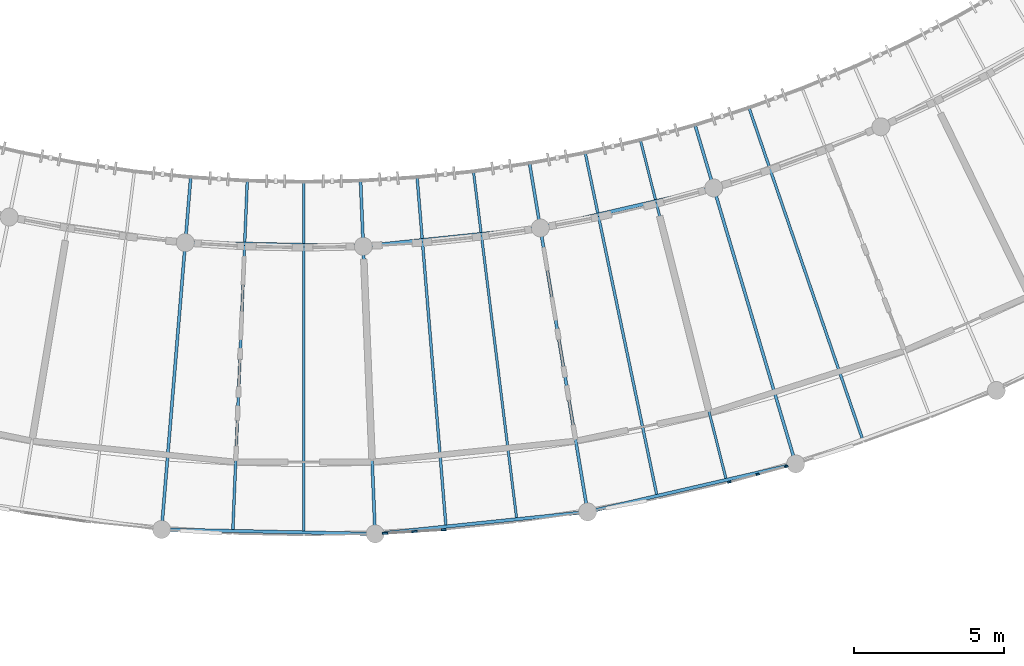
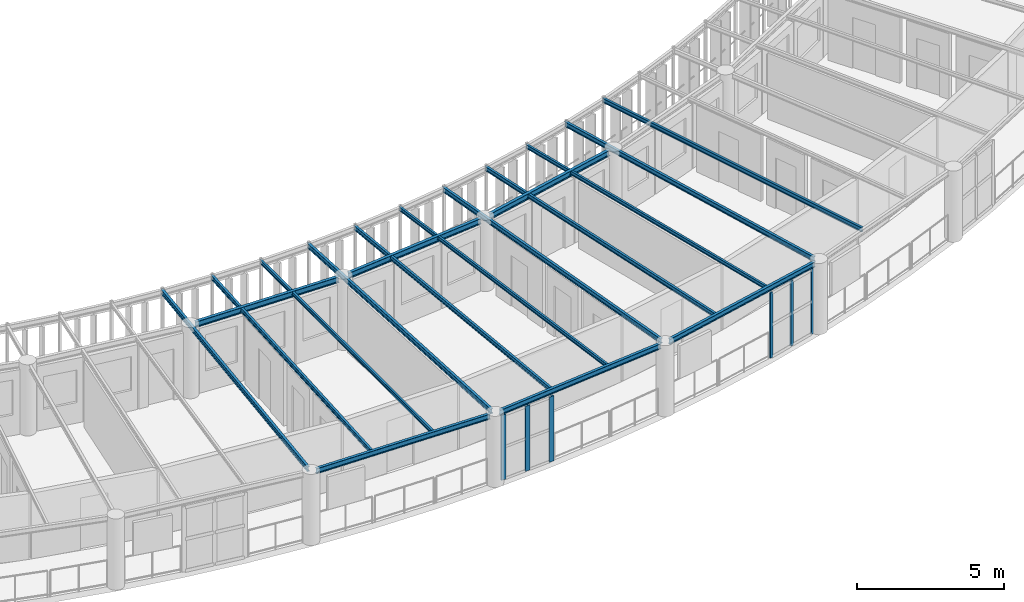
# One storey, part 17 of 100: 17 beams, 6 members, 2 elements without a shape of their own.
"""IFC4 building model written with IfcOpenShell, lengths in metres."""

from ifc_helpers import new_model, si_unit, direction, frame, origin, origin_2d, place, context, subcontext, project, spatial, rectangle, i_section, extrude, material, layer, layer_set, material_profile, profile_set, type_object, element, aggregate, save


model = new_model("IFC4")

# Units and contexts
model_context = context("Model", 3, precision=1e-05, world=origin(), true_north=direction((0.0, 1.0)))
body_context = subcontext(model_context, "Body", "Model", "MODEL_VIEW")
ifc_project = project(units=[si_unit("LENGTHUNIT", "METRE"), si_unit("AREAUNIT", "SQUARE_METRE"), si_unit("VOLUMEUNIT", "CUBIC_METRE"), si_unit("PLANEANGLEUNIT", "RADIAN"), si_unit("MASSUNIT", "GRAM", prefix="KILO"), si_unit("POWERUNIT", "WATT"), si_unit("THERMODYNAMICTEMPERATUREUNIT", "KELVIN")], contexts=[model_context])

# Site, building, storey
site_placement = place(None, origin())
site = spatial("IfcSite", under=ifc_project, at=site_placement, CompositionType="ELEMENT")
building_placement = place(site_placement, origin())
building = spatial("IfcBuilding", under=site, at=building_placement, Name="Ruvembo Vaulted Housing Court", CompositionType="ELEMENT")
storey_placement = place(building_placement, frame((0.0, 0.0, 14.10009765625)))
storey = spatial("IfcBuildingStorey", under=building, at=storey_placement, Name="L04", CompositionType="ELEMENT", Elevation=14.10009765625)

# Beams
ifc_material_1 = material(Name="Steel S355J2", Category="steel")
ifc_material_profile_1 = material_profile(ifc_material_1, i_section(OverallWidth=0.08203125, OverallDepth=0.159912109375, WebThickness=0.0048828125, FlangeThickness=0.00732421875, FilletRadius=0.009033203125, at=origin_2d()), Name="IPE 160")
ifc_profile_set_1 = profile_set([ifc_material_profile_1], Name="Steel S355J2")
beam_type_1 = type_object("IfcBeamType", Name="BM-ST-IPE160", PredefinedType="JOIST", material=ifc_profile_set_1)
beam_1_placement = place(storey_placement, frame((69.0, 4.548095703125, 2.85986328125), z_axis=(0.0, 1.0, 0.0), x_axis=(-1.0, 0.0, 0.0)))
element("IfcBeam", 1, at=beam_1_placement, inside=storey, type_object=beam_type_1, Name="Scoop SC2 L04 Radial Steel Joist 14", PredefinedType="JOIST", context=body_context, shape_type="SweptSolid", body=[
    extrude(i_section(OverallWidth=0.08203125, OverallDepth=0.159912109375, WebThickness=0.0048828125, FlangeThickness=0.00732421875, FilletRadius=0.009033203125, at=origin_2d()), origin(), (0.0, 0.0, 1.0), 11.69189453125),
])
beam_2_placement = place(storey_placement, frame((76.092041015625, 4.9873046875, 2.85986328125), z_axis=(-0.123446200649, 0.992351266208, 0.0), x_axis=(-0.992351266208, -0.123446200649, 0.0)))
element("IfcBeam", 2, at=beam_2_placement, inside=storey, type_object=beam_type_1, Name="Scoop SC2 L04 Radial Steel Joist 17", PredefinedType="JOIST", context=body_context, shape_type="SweptSolid", body=[
    extrude(i_section(OverallWidth=0.08203125, OverallDepth=0.159912109375, WebThickness=0.0048828125, FlangeThickness=0.00732421875, FilletRadius=0.009033203125, at=origin_2d()), origin(), (0.0, 0.0, 1.0), 11.692138671875),
])
beam_3_placement = place(storey_placement, frame((83.07568359375, 6.299072265625, 2.85986328125), z_axis=(-0.24500130138, 0.96952274977, 0.0), x_axis=(-0.96952274977, -0.24500130138, 0.0)))
element("IfcBeam", 3, at=beam_3_placement, inside=storey, type_object=beam_type_1, Name="Scoop SC2 L04 Radial Steel Joist 20", PredefinedType="JOIST", context=body_context, shape_type="SweptSolid", body=[
    extrude(i_section(OverallWidth=0.08203125, OverallDepth=0.159912109375, WebThickness=0.0048828125, FlangeThickness=0.00732421875, FilletRadius=0.009033203125, at=origin_2d()), origin(), (0.0, 0.0, 1.0), 11.69189453125),
])
ifc_material_profile_2 = material_profile(ifc_material_1, i_section(OverallWidth=0.091064453125, OverallDepth=0.179931640625, WebThickness=0.00537109375, FlangeThickness=0.008056640625, FilletRadius=0.009033203125, at=origin_2d()), Name="IPE 180")
ifc_profile_set_2 = profile_set([ifc_material_profile_2], Name="Steel S355J2")
beam_type_2 = type_object("IfcBeamType", Name="BM-ST-IPE180", PredefinedType="JOIST", material=ifc_profile_set_2)
for number, where, z_axis, x_axis, name in (
    (4, (66.630615234375, 4.596923828125, 2.849853515625), (0.041239703888, 0.999149281551, 0.0), (-0.999149281551, 0.041239703888, 0.0), "Scoop SC2 L04 Radial Steel Joist 13"),
    (5, (73.73486328125, 4.743408203125, 2.849853515625), (-0.082416447745, 0.996597977693, 0.0), (-0.996597977693, -0.082416447745, 0.0), "Scoop SC2 L04 Radial Steel Joist 16"),
):
    element("IfcBeam", number, at=place(storey_placement, frame(where, z_axis=z_axis, x_axis=x_axis)), inside=storey, type_object=beam_type_2, Name=name, PredefinedType="JOIST", context=body_context, shape_type="SweptSolid", body=[
        extrude(i_section(OverallWidth=0.091064453125, OverallDepth=0.179931640625, WebThickness=0.00537109375, FlangeThickness=0.008056640625, FilletRadius=0.009033203125, at=origin_2d()), origin(), (0.0, 0.0, 1.0), 11.692138671875),
    ])
beam_4_placement = place(storey_placement, frame((80.7666015625, 5.765869140625, 2.849853515625), z_axis=(-0.204822214104, 0.9787991932, 0.0), x_axis=(-0.9787991932, -0.204822214104, 0.0)))
element("IfcBeam", 6, at=beam_4_placement, inside=storey, type_object=beam_type_2, Name="Scoop SC2 L04 Radial Steel Joist 19", PredefinedType="JOIST", context=body_context, shape_type="SweptSolid", body=[
    extrude(i_section(OverallWidth=0.091064453125, OverallDepth=0.179931640625, WebThickness=0.00537109375, FlangeThickness=0.008056640625, FilletRadius=0.009033203125, at=origin_2d()), origin(), (0.0, 0.0, 1.0), 11.69189453125),
])
beam_5_placement = place(storey_placement, frame((87.618408203125, 7.6484375, 2.849853515625), z_axis=(-0.324072338174, 0.946032303693, 0.0), x_axis=(-0.946032303693, -0.324072338174, 0.0)))
element("IfcBeam", 7, at=beam_5_placement, inside=storey, type_object=beam_type_2, Name="Scoop SC2 L04 Radial Steel Joist 22", PredefinedType="JOIST", context=body_context, shape_type="SweptSolid", body=[
    extrude(i_section(OverallWidth=0.091064453125, OverallDepth=0.179931640625, WebThickness=0.00537109375, FlangeThickness=0.008056640625, FilletRadius=0.009033203125, at=origin_2d()), origin(), (0.0, 0.0, 1.0), 11.692138671875),
])
ifc_material_profile_3 = material_profile(ifc_material_1, i_section(OverallWidth=0.10009765625, OverallDepth=0.199951171875, WebThickness=0.005615234375, FlangeThickness=0.008544921875, FilletRadius=0.011962890625, at=origin_2d()), Name="IPE 200")
ifc_profile_set_3 = profile_set([ifc_material_profile_3], Name="Steel S355J2")
beam_type_3 = type_object("IfcBeamType", Name="BM-ST-IPE200", PredefinedType="BEAM", material=ifc_profile_set_3)
beam_6_placement = place(storey_placement, frame((64.268798828125, 4.785400390625, 2.83984375), z_axis=(0.082400296485, 0.996599313234, 0.0), x_axis=(-0.996599313234, 0.082400296485, 0.0)))
element("IfcBeam", 8, at=beam_6_placement, inside=storey, type_object=beam_type_3, Name="Scoop SC2 L04 Radial Steel Joist 12", PredefinedType="BEAM", context=body_context, shape_type="SweptSolid", body=[
    extrude(i_section(OverallWidth=0.10009765625, OverallDepth=0.199951171875, WebThickness=0.005615234375, FlangeThickness=0.008544921875, FilletRadius=0.011962890625, at=origin_2d()), origin(), (0.0, 0.0, 1.0), 11.64990234375),
])
beam_7_placement = place(storey_placement, frame((71.36767578125, 4.638916015625, 2.83984375), z_axis=(-0.041241780641, 0.999149195831, 0.0), x_axis=(-0.999149195831, -0.041241780641, 0.0)))
element("IfcBeam", 9, at=beam_7_placement, inside=storey, type_object=beam_type_3, Name="Scoop SC2 L04 Radial Steel Joist 15", PredefinedType="BEAM", context=body_context, shape_type="SweptSolid", body=[
    extrude(i_section(OverallWidth=0.10009765625, OverallDepth=0.199951171875, WebThickness=0.005615234375, FlangeThickness=0.008544921875, FilletRadius=0.011962890625, at=origin_2d()), origin(), (0.0, 0.0, 1.0), 11.650146484375),
])
beam_8_placement = place(storey_placement, frame((78.430419921875, 5.369873046875, 2.83984375), z_axis=(-0.164276646403, 0.986414306185, 0.0), x_axis=(-0.986414306185, -0.164276646403, 0.0)))
element("IfcBeam", 10, at=beam_8_placement, inside=storey, type_object=beam_type_3, Name="Scoop SC2 L04 Radial Steel Joist 18", PredefinedType="BEAM", context=body_context, shape_type="SweptSolid", body=[
    extrude(i_section(OverallWidth=0.10009765625, OverallDepth=0.199951171875, WebThickness=0.005615234375, FlangeThickness=0.008544921875, FilletRadius=0.011962890625, at=origin_2d()), origin(), (0.0, 0.0, 1.0), 11.64990234375),
])
beam_9_placement = place(storey_placement, frame((85.34912109375, 6.967041015625, 2.83984375), z_axis=(-0.284791771635, 0.958589404703, 0.0), x_axis=(-0.958589404703, -0.284791771635, 0.0)))
element("IfcBeam", 11, at=beam_9_placement, inside=storey, type_object=beam_type_3, Name="Scoop SC2 L04 Radial Steel Joist 21", PredefinedType="BEAM", context=body_context, shape_type="SweptSolid", body=[
    extrude(i_section(OverallWidth=0.10009765625, OverallDepth=0.199951171875, WebThickness=0.005615234375, FlangeThickness=0.008544921875, FilletRadius=0.011962890625, at=origin_2d()), origin(), (0.0, 0.0, 1.0), 11.650146484375),
])
ifc_material_profile_4 = material_profile(ifc_material_1, i_section(OverallWidth=0.110107421875, OverallDepth=0.219970703125, WebThickness=0.005859375, FlangeThickness=0.00927734375, FilletRadius=0.011962890625, at=origin_2d()), Name="IPE 220")
ifc_profile_set_4 = profile_set([ifc_material_profile_4], Name="Steel S355J2")
beam_type_4 = type_object("IfcBeamType", Name="BM-ST-IPE220", PredefinedType="SPANDREL", material=ifc_profile_set_4)
beam_10_placement = place(storey_placement, frame((64.443115234375, 4.592041015625, 2.831787109375), z_axis=(0.999787074346, -0.020635066531, 0.0), x_axis=(0.020635066531, 0.999787074346, 0.0)))
element("IfcBeam", 12, at=beam_10_placement, inside=storey, type_object=beam_type_4, Name="Scoop SC2 L04 Chord Girder B12", PredefinedType="SPANDREL", context=body_context, shape_type="SweptSolid", body=[
    extrude(i_section(OverallWidth=0.110107421875, OverallDepth=0.219970703125, WebThickness=0.005859375, FlangeThickness=0.00927734375, FilletRadius=0.011962890625, at=origin_2d()), origin(), (0.0, 0.0, 1.0), 6.743896484375),
])
for number, where, z_axis, x_axis, name in (
    (13, (71.564453125, 4.468505859375, 2.831787109375), (0.994686042754, 0.102954729614, 0.0), (-0.102954729614, 0.994686042754, 0.0), "Scoop SC2 L04 Chord Girder B15"),
    (14, (78.646728515625, 5.22509765625, 2.831787109375), (0.974370447489, 0.224949396667, 0.0), (-0.224949396667, 0.974370447489, 0.0), "Scoop SC2 L04 Chord Girder B18"),
):
    element("IfcBeam", number, at=place(storey_placement, frame(where, z_axis=z_axis, x_axis=x_axis)), inside=storey, type_object=beam_type_4, Name=name, PredefinedType="SPANDREL", context=body_context, shape_type="SweptSolid", body=[
        extrude(i_section(OverallWidth=0.110107421875, OverallDepth=0.219970703125, WebThickness=0.005859375, FlangeThickness=0.00927734375, FilletRadius=0.011962890625, at=origin_2d()), origin(), (0.0, 0.0, 1.0), 6.744140625),
    ])
ifc_material_profile_5 = material_profile(ifc_material_1, i_section(OverallWidth=0.1201171875, OverallDepth=0.239990234375, WebThickness=0.006103515625, FlangeThickness=0.009765625, FilletRadius=0.014892578125, at=origin_2d()), Name="IPE 240")
ifc_profile_set_5 = profile_set([ifc_material_profile_5], Name="Steel S355J2")
beam_type_5 = type_object("IfcBeamType", Name="BM-ST-IPE240", PredefinedType="BEAM", material=ifc_profile_set_5)
for number, where, z_axis, x_axis, name in (
    (15, (65.234130859375, 14.159423828125, 2.822021484375), (0.999786757823, -0.020650396668, 0.0), (0.020650396668, 0.999786757823, 0.0), "Scoop SC2 L04 Chord Girder F12"),
    (16, (71.168701171875, 14.060302734375, 2.822021484375), (0.994687140669, 0.102944121674, 0.0), (-0.102944121674, 0.994687140669, 0.0), "Scoop SC2 L04 Chord Girder F15"),
):
    element("IfcBeam", number, at=place(storey_placement, frame(where, z_axis=z_axis, x_axis=x_axis)), inside=storey, type_object=beam_type_5, Name=name, PredefinedType="BEAM", context=body_context, shape_type="SweptSolid", body=[
        extrude(i_section(OverallWidth=0.1201171875, OverallDepth=0.239990234375, WebThickness=0.006103515625, FlangeThickness=0.009765625, FilletRadius=0.014892578125, at=origin_2d()), origin(), (0.0, 0.0, 1.0), 5.556640625),
    ])
beam_11_placement = place(storey_placement, frame((77.06982421875, 14.694580078125, 2.822021484375), z_axis=(0.974360085885, 0.224994273338, 0.0), x_axis=(-0.224994273338, 0.974360085885, 0.0)))
element("IfcBeam", 17, at=beam_11_placement, inside=storey, type_object=beam_type_5, Name="Scoop SC2 L04 Chord Girder F18", PredefinedType="BEAM", context=body_context, shape_type="SweptSolid", body=[
    extrude(i_section(OverallWidth=0.1201171875, OverallDepth=0.239990234375, WebThickness=0.006103515625, FlangeThickness=0.009765625, FilletRadius=0.014892578125, at=origin_2d()), origin(), (0.0, 0.0, 1.0), 5.556884765625),
])

# Curtain wall, members
ifc_material_2 = material(Name="Anodised Aluminium and Solar-Control Glass", Category="aluminium")
ifc_layer_1 = layer(ifc_material_2, 0.139892578125, Name="Anodised Aluminium and Solar-Control Glass")
ifc_layer_set_1 = layer_set([ifc_layer_1], Name="Anodised Aluminium and Solar-Control Glass")
curtain_wall_type_1 = type_object("IfcCurtainWallType", Name="CW-SCOOP-PAN", PredefinedType="NOTDEFINED", material=ifc_layer_set_1)
curtain_wall_1_placement = place(storey_placement, origin())
curtain_wall_1 = element("IfcCurtainWall", 18, at=curtain_wall_1_placement, inside=storey, type_object=curtain_wall_type_1, Name="L04 Curtain Wall CW-L04-0051", PredefinedType="NOTDEFINED")
ifc_material_3 = material(Name="Anodised Aluminium 6063-T6", Category="aluminium")
ifc_material_profile_6 = material_profile(ifc_material_3, rectangle(XDim=0.054931640625, YDim=0.1201171875, at=origin_2d()), Name="ALU 55x120")
ifc_profile_set_6 = profile_set([ifc_material_profile_6], Name="Anodised Aluminium 6063-T6")
member_type_1 = type_object("IfcMemberType", Name="CW-MUL-55x120", PredefinedType="MULLION", material=ifc_profile_set_6)
member_1_placement = place(storey_placement, frame((83.186767578125, 6.176025390625, 0.0), z_axis=(0.0, 0.0, 1.0), x_axis=(-0.26495457052, 0.964260896003, 0.0)))
member_1 = element("IfcMember", 19, at=member_1_placement, type_object=member_type_1, Name="CW10 mullion 1", PredefinedType="MULLION", context=body_context, shape_type="SweptSolid", body=[
    extrude(rectangle(XDim=0.054931640625, YDim=0.1201171875, at=origin_2d()), origin(), (0.0, 0.0, 1.0), 2.697998046875),
])
member_2_placement = place(storey_placement, frame((84.136962890625, 6.43701171875, 0.0), z_axis=(0.0, 0.0, 1.0), x_axis=(-0.26495457052, 0.964260896003, 0.0)))
member_2 = element("IfcMember", 20, at=member_2_placement, type_object=member_type_1, Name="CW10 mullion 2", PredefinedType="MULLION", context=body_context, shape_type="SweptSolid", body=[
    extrude(rectangle(XDim=0.054931640625, YDim=0.1201171875, at=origin_2d()), origin(), (0.0, 0.0, 1.0), 2.697998046875),
])
member_3_placement = place(storey_placement, frame((85.08740234375, 6.6982421875, 0.0), z_axis=(0.0, 0.0, 1.0), x_axis=(-0.26495457052, 0.964260896003, 0.0)))
member_3 = element("IfcMember", 21, at=member_3_placement, type_object=member_type_1, Name="CW10 mullion 3", PredefinedType="MULLION", context=body_context, shape_type="SweptSolid", body=[
    extrude(rectangle(XDim=0.054931640625, YDim=0.1201171875, at=origin_2d()), origin(), (0.0, 0.0, 1.0), 2.697998046875),
])
aggregate(curtain_wall_1, [member_1, member_2, member_3])

ifc_layer_2 = layer(ifc_material_2, 0.1201171875, Name="Anodised Aluminium and Solar-Control Glass")
ifc_layer_set_2 = layer_set([ifc_layer_2], Name="Anodised Aluminium and Solar-Control Glass")
curtain_wall_type_2 = type_object("IfcCurtainWallType", Name="CW-SCOOP-GAL", PredefinedType="NOTDEFINED", material=ifc_layer_set_2)
curtain_wall_2_placement = place(storey_placement, origin())
curtain_wall_2 = element("IfcCurtainWall", 22, at=curtain_wall_2_placement, inside=storey, type_object=curtain_wall_type_2, Name="L04 Curtain Wall CW-L04-0050", PredefinedType="NOTDEFINED")
ifc_material_profile_7 = material_profile(ifc_material_3, rectangle(XDim=0.06494140625, YDim=0.179931640625, at=origin_2d()), Name="ALU 65x180")
ifc_profile_set_7 = profile_set([ifc_material_profile_7], Name="Anodised Aluminium 6063-T6")
member_type_2 = type_object("IfcMemberType", Name="CW-MUL-65x180", PredefinedType="MULLION", material=ifc_profile_set_7)
member_4_placement = place(storey_placement, frame((71.707275390625, 4.469482421875, 0.0), z_axis=(0.0, 0.0, 1.0), x_axis=(-0.06184361449, 0.998085851692, 0.0)))
member_4 = element("IfcMember", 23, at=member_4_placement, type_object=member_type_2, Name="CW6 mullion 1", PredefinedType="MULLION", context=body_context, shape_type="SweptSolid", body=[
    extrude(rectangle(XDim=0.06494140625, YDim=0.179931640625, at=origin_2d()), origin(), (0.0, 0.0, 1.0), 2.697998046875),
])
member_5_placement = place(storey_placement, frame((72.68603515625, 4.530029296875, 0.0), z_axis=(0.0, 0.0, 1.0), x_axis=(-0.06184361449, 0.998085851692, 0.0)))
member_5 = element("IfcMember", 24, at=member_5_placement, type_object=member_type_2, Name="CW6 mullion 2", PredefinedType="MULLION", context=body_context, shape_type="SweptSolid", body=[
    extrude(rectangle(XDim=0.06494140625, YDim=0.179931640625, at=origin_2d()), origin(), (0.0, 0.0, 1.0), 2.697998046875),
])
member_6_placement = place(storey_placement, frame((73.66455078125, 4.5908203125, 0.0), z_axis=(0.0, 0.0, 1.0), x_axis=(-0.06184361449, 0.998085851692, 0.0)))
member_6 = element("IfcMember", 25, at=member_6_placement, type_object=member_type_2, Name="CW6 mullion 3", PredefinedType="MULLION", context=body_context, shape_type="SweptSolid", body=[
    extrude(rectangle(XDim=0.06494140625, YDim=0.179931640625, at=origin_2d()), origin(), (0.0, 0.0, 1.0), 2.697998046875),
])
aggregate(curtain_wall_2, [member_4, member_5, member_6])

save(model, "model.ifc")
